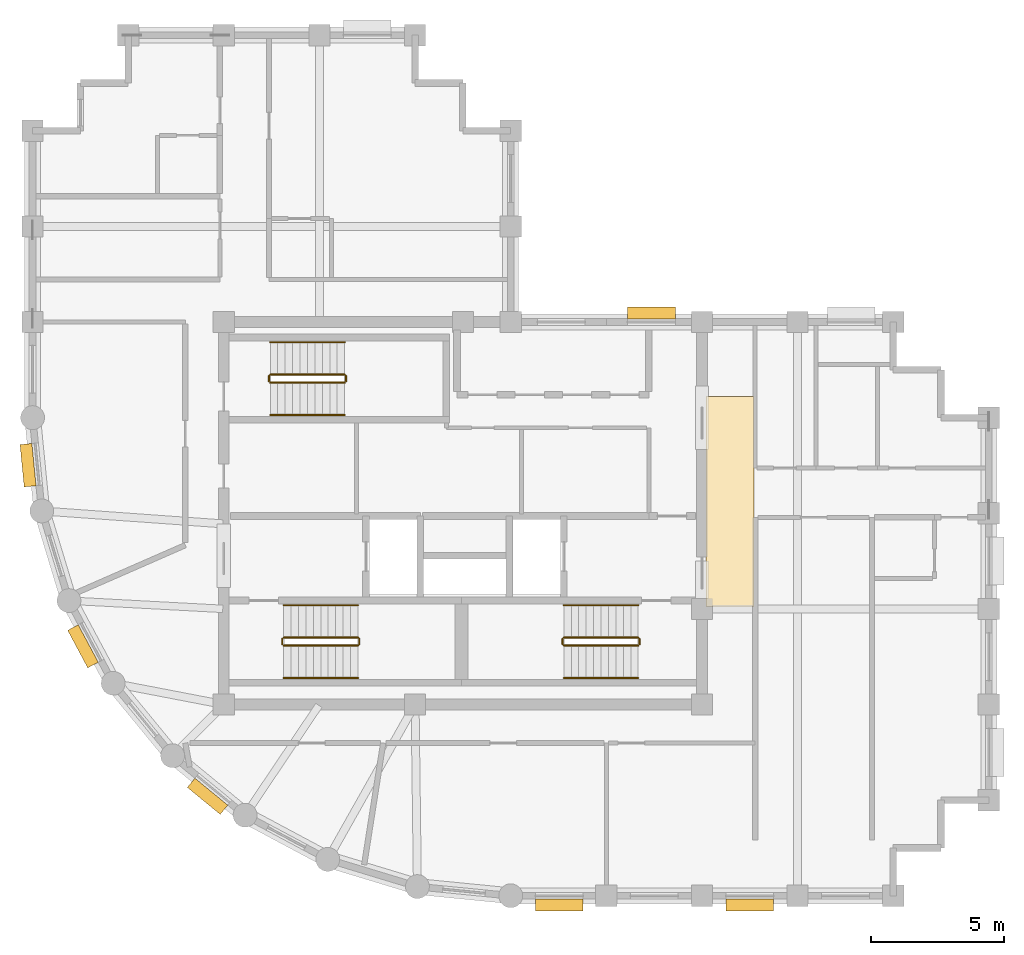
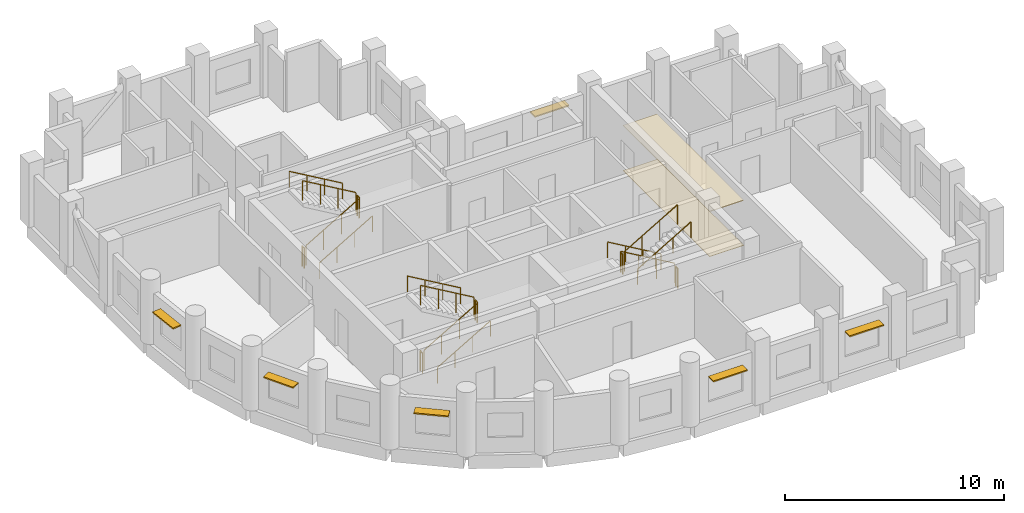
# One storey, part 6 of 7: 18 railings, 6 shading devices, 2 coverings.
"""IFC4 building model written with IfcOpenShell, lengths in metres."""

from ifc_helpers import new_model, si_unit, direction, frame, origin, origin_2d, place, context, subcontext, project, spatial, polyline, rectangle, circle, outline, extrude, material, layer, layer_set, type_object, element, save


model = new_model("IFC4")

# Units and contexts
model_context = context("Model", 3, precision=1e-05, world=origin(), true_north=direction((0.0, 1.0)))
body_context = subcontext(model_context, "Body", "Model", "MODEL_VIEW")
ifc_project = project(units=[si_unit("LENGTHUNIT", "METRE"), si_unit("AREAUNIT", "SQUARE_METRE"), si_unit("VOLUMEUNIT", "CUBIC_METRE"), si_unit("PLANEANGLEUNIT", "RADIAN"), si_unit("MASSUNIT", "GRAM", prefix="KILO")], contexts=[model_context])

# Site, building, storey
site_placement = place(None, origin())
site = spatial("IfcSite", under=ifc_project, at=site_placement, CompositionType="ELEMENT")
building_placement = place(site_placement, origin())
building = spatial("IfcBuilding", under=site, at=building_placement, Name="Solnavia Interchange Tower", CompositionType="ELEMENT")
storey_placement = place(building_placement, frame((0.0, 0.0, 242.60009765625)))
storey = spatial("IfcBuildingStorey", under=building, at=storey_placement, Name="L61", CompositionType="ELEMENT", Elevation=242.60009765625)

# Coverings
ifc_material_1 = material(Name="Perforated Mineral-Fibre & Gypsum Ceiling", Category="gypsum")
ifc_layer_1 = layer(ifc_material_1, 0.0400390625)
ifc_layer_set_1 = layer_set([ifc_layer_1], Name="Perforated Mineral-Fibre & Gypsum Ceiling")
covering_type_1 = type_object("IfcCoveringType", Name="Covering-Ceiling-Acoustic40", PredefinedType="CEILING", material=ifc_layer_set_1)
covering_1_placement = place(storey_placement, frame((0.0, 0.0, 2.5)))
element("IfcCovering", 1, at=covering_1_placement, inside=storey, type_object=covering_type_1, Name="CLG-L61-01 Circulation suspended acoustic ceiling", PredefinedType="CEILING", context=body_context, shape_type="SweptSolid", body=[
    extrude(outline(polyline([(32.550048828125, 14.5), (34.35009765625, 14.5), (34.35009765625, 22.39990234375), (32.550048828125, 22.39990234375), (32.550048828125, 14.5)])), origin(), (0.0, 0.0, 1.0), 0.039794921875),
])
ifc_material_2 = material(Name="Engineered European Oak Flooring", Category="wood")
ifc_layer_2 = layer(ifc_material_2, 0.02001953125)
ifc_layer_set_2 = layer_set([ifc_layer_2], Name="Engineered European Oak Flooring")
covering_type_2 = type_object("IfcCoveringType", Name="Covering-Flooring-Timber20", PredefinedType="FLOORING", material=ifc_layer_set_2)
covering_2_placement = place(storey_placement, origin())
element("IfcCovering", 2, at=covering_2_placement, inside=storey, type_object=covering_type_2, Name="FLR-L61-01 Circulation floor finish", PredefinedType="FLOORING", context=body_context, shape_type="SweptSolid", body=[
    extrude(outline(polyline([(32.550048828125, 14.5), (34.35009765625, 14.5), (34.35009765625, 22.39990234375), (32.550048828125, 22.39990234375), (32.550048828125, 14.5)])), origin(), (0.0, 0.0, 1.0), 0.02001953125),
])

# Railings
ifc_material_3 = material(Name="Painted Steel Balustrade", Category="steel")
railing_type_1 = type_object("IfcRailingType", Name="Railing-StairGuard-1100", PredefinedType="GUARDRAIL", material=ifc_material_3)
railing_1_placement = place(storey_placement, frame((16.64990234375, 13.02001953125, 0.16357421875)))
element("IfcRailing", 3, at=railing_1_placement, inside=storey, type_object=railing_type_1, Name="L61 ST-1 stair guard 1", PredefinedType="GUARDRAIL", context=body_context, shape_type="SweptSolid", body=[
    extrude(circle(Radius=0.02392578125, at=origin_2d()), frame((0.0, 0.0, 1.09619140625), z_axis=(0.863393664356, 0.0, 0.504530851732), x_axis=(0.0, 1.0, 0.0)), (0.0, 0.0, 1.0), 3.2431640625),
    extrude(circle(Radius=0.02099609375, at=origin_2d()), origin(), (0.0, 0.0, 1.0), 1.072021484375),
    extrude(circle(Radius=0.02099609375, at=origin_2d()), frame((0.933349609375, 0.0, 0.54541015625)), (0.0, 0.0, 1.0), 1.072021484375),
    extrude(circle(Radius=0.02099609375, at=origin_2d()), frame((1.86669921875, 0.0, 1.0908203125)), (0.0, 0.0, 1.0), 1.072021484375),
    extrude(circle(Radius=0.02099609375, at=origin_2d()), frame((2.800048828125, 0.0, 1.63623046875)), (0.0, 0.0, 1.0), 1.072021484375),
])
railing_2_placement = place(storey_placement, frame((19.5, 13.070068359375, 1.7998046875)))
element("IfcRailing", 4, at=railing_2_placement, inside=storey, type_object=railing_type_1, Name="L61 ST-1 stair guard 2", PredefinedType="GUARDRAIL", context=body_context, shape_type="SweptSolid", body=[
    extrude(circle(Radius=0.02392578125, at=origin_2d()), frame((0.0, 0.0, 1.09619140625), z_axis=(0.0, 1.0, 0.0), x_axis=(-1.0, 0.0, 0.0)), (0.0, 0.0, 1.0), 0.199951171875),
    extrude(circle(Radius=0.02099609375, at=origin_2d()), origin(), (0.0, 0.0, 1.0), 1.072021484375),
    extrude(circle(Radius=0.02099609375, at=origin_2d()), frame((0.0, 0.199951171875, 0.0)), (0.0, 0.0, 1.0), 1.072021484375),
])
railing_3_placement = place(storey_placement, frame((19.449951171875, 13.320068359375, 1.963623046875)))
element("IfcRailing", 5, at=railing_3_placement, inside=storey, type_object=railing_type_1, Name="L61 ST-1 stair guard 3", PredefinedType="GUARDRAIL", context=body_context, shape_type="SweptSolid", body=[
    extrude(circle(Radius=0.02392578125, at=origin_2d()), frame((0.0, 0.0, 1.09619140625), z_axis=(-0.863393664356, 0.0, 0.504530851732), x_axis=(0.0, -1.0, 0.0)), (0.0, 0.0, 1.0), 3.2431640625),
    extrude(circle(Radius=0.02099609375, at=origin_2d()), origin(), (0.0, 0.0, 1.0), 1.072021484375),
    extrude(circle(Radius=0.02099609375, at=origin_2d()), frame((-0.933349609375, 0.0, 0.54541015625)), (0.0, 0.0, 1.0), 1.072021484375),
    extrude(circle(Radius=0.02099609375, at=origin_2d()), frame((-1.86669921875, 0.0, 1.0908203125)), (0.0, 0.0, 1.0), 1.072021484375),
    extrude(circle(Radius=0.02099609375, at=origin_2d()), frame((-2.800048828125, 0.0, 1.63623046875)), (0.0, 0.0, 1.0), 1.072021484375),
])
railing_4_placement = place(storey_placement, frame((16.60009765625, 13.070068359375, 0.0)))
element("IfcRailing", 6, at=railing_4_placement, inside=storey, type_object=railing_type_1, Name="L61 ST-1 stair guard 4", PredefinedType="GUARDRAIL", context=body_context, shape_type="SweptSolid", body=[
    extrude(circle(Radius=0.02392578125, at=origin_2d()), frame((0.0, 0.0, 1.09619140625), z_axis=(0.0, 1.0, 0.0), x_axis=(-1.0, 0.0, 0.0)), (0.0, 0.0, 1.0), 0.199951171875),
    extrude(circle(Radius=0.02099609375, at=origin_2d()), origin(), (0.0, 0.0, 1.0), 1.072021484375),
    extrude(circle(Radius=0.02099609375, at=origin_2d()), frame((0.0, 0.199951171875, 0.0)), (0.0, 0.0, 1.0), 1.072021484375),
])
railing_5_placement = place(storey_placement, frame((30.0, 13.320068359375, 0.16357421875)))
element("IfcRailing", 7, at=railing_5_placement, inside=storey, type_object=railing_type_1, Name="L61 ST-2 stair guard 1", PredefinedType="GUARDRAIL", context=body_context, shape_type="SweptSolid", body=[
    extrude(circle(Radius=0.02392578125, at=origin_2d()), frame((0.0, 0.0, 1.09619140625), z_axis=(-0.863393664356, 0.0, 0.504530851732), x_axis=(0.0, -1.0, 0.0)), (0.0, 0.0, 1.0), 3.2431640625),
    extrude(circle(Radius=0.02099609375, at=origin_2d()), origin(), (0.0, 0.0, 1.0), 1.072021484375),
    extrude(circle(Radius=0.02099609375, at=origin_2d()), frame((-0.933349609375, 0.0, 0.54541015625)), (0.0, 0.0, 1.0), 1.072021484375),
    extrude(circle(Radius=0.02099609375, at=origin_2d()), frame((-1.86669921875, 0.0, 1.0908203125)), (0.0, 0.0, 1.0), 1.072021484375),
    extrude(circle(Radius=0.02099609375, at=origin_2d()), frame((-2.800048828125, 0.0, 1.63623046875)), (0.0, 0.0, 1.0), 1.072021484375),
])
railing_6_placement = place(storey_placement, frame((27.14990234375, 13.27001953125, 1.7998046875)))
element("IfcRailing", 8, at=railing_6_placement, inside=storey, type_object=railing_type_1, Name="L61 ST-2 stair guard 2", PredefinedType="GUARDRAIL", context=body_context, shape_type="SweptSolid", body=[
    extrude(circle(Radius=0.02392578125, at=origin_2d()), frame((0.0, 0.0, 1.09619140625), z_axis=(0.0, -1.0, 0.0), x_axis=(1.0, 0.0, 0.0)), (0.0, 0.0, 1.0), 0.199951171875),
    extrude(circle(Radius=0.02099609375, at=origin_2d()), origin(), (0.0, 0.0, 1.0), 1.072021484375),
    extrude(circle(Radius=0.02099609375, at=origin_2d()), frame((0.0, -0.199951171875, 0.0)), (0.0, 0.0, 1.0), 1.072021484375),
])
railing_7_placement = place(storey_placement, frame((27.199951171875, 13.02001953125, 1.963623046875)))
element("IfcRailing", 9, at=railing_7_placement, inside=storey, type_object=railing_type_1, Name="L61 ST-2 stair guard 3", PredefinedType="GUARDRAIL", context=body_context, shape_type="SweptSolid", body=[
    extrude(circle(Radius=0.02392578125, at=origin_2d()), frame((0.0, 0.0, 1.09619140625), z_axis=(0.863393664356, 0.0, 0.504530851732), x_axis=(0.0, 1.0, 0.0)), (0.0, 0.0, 1.0), 3.2431640625),
    extrude(circle(Radius=0.02099609375, at=origin_2d()), origin(), (0.0, 0.0, 1.0), 1.072021484375),
    extrude(circle(Radius=0.02099609375, at=origin_2d()), frame((0.933349609375, 0.0, 0.54541015625)), (0.0, 0.0, 1.0), 1.072021484375),
    extrude(circle(Radius=0.02099609375, at=origin_2d()), frame((1.86669921875, 0.0, 1.0908203125)), (0.0, 0.0, 1.0), 1.072021484375),
    extrude(circle(Radius=0.02099609375, at=origin_2d()), frame((2.800048828125, 0.0, 1.63623046875)), (0.0, 0.0, 1.0), 1.072021484375),
])
railing_8_placement = place(storey_placement, frame((30.050048828125, 13.27001953125, 0.0)))
element("IfcRailing", 10, at=railing_8_placement, inside=storey, type_object=railing_type_1, Name="L61 ST-2 stair guard 4", PredefinedType="GUARDRAIL", context=body_context, shape_type="SweptSolid", body=[
    extrude(circle(Radius=0.02392578125, at=origin_2d()), frame((0.0, 0.0, 1.09619140625), z_axis=(0.0, -1.0, 0.0), x_axis=(1.0, 0.0, 0.0)), (0.0, 0.0, 1.0), 0.199951171875),
    extrude(circle(Radius=0.02099609375, at=origin_2d()), origin(), (0.0, 0.0, 1.0), 1.072021484375),
    extrude(circle(Radius=0.02099609375, at=origin_2d()), frame((0.0, -0.199951171875, 0.0)), (0.0, 0.0, 1.0), 1.072021484375),
])
railing_9_placement = place(storey_placement, frame((16.14990234375, 22.919921875, 0.16357421875)))
element("IfcRailing", 11, at=railing_9_placement, inside=storey, type_object=railing_type_1, Name="L61 ST-3 stair guard 1", PredefinedType="GUARDRAIL", context=body_context, shape_type="SweptSolid", body=[
    extrude(circle(Radius=0.02392578125, at=origin_2d()), frame((0.0, 0.0, 1.09619140625), z_axis=(0.863393664356, 0.0, 0.504530851732), x_axis=(0.0, 1.0, 0.0)), (0.0, 0.0, 1.0), 3.2431640625),
    extrude(circle(Radius=0.02099609375, at=origin_2d()), origin(), (0.0, 0.0, 1.0), 1.072021484375),
    extrude(circle(Radius=0.02099609375, at=origin_2d()), frame((0.933349609375, 0.0, 0.54541015625)), (0.0, 0.0, 1.0), 1.072021484375),
    extrude(circle(Radius=0.02099609375, at=origin_2d()), frame((1.86669921875, 0.0, 1.0908203125)), (0.0, 0.0, 1.0), 1.072021484375),
    extrude(circle(Radius=0.02099609375, at=origin_2d()), frame((2.800048828125, 0.0, 1.63623046875)), (0.0, 0.0, 1.0), 1.072021484375),
])
railing_10_placement = place(storey_placement, frame((19.0, 22.969970703125, 1.7998046875)))
element("IfcRailing", 12, at=railing_10_placement, inside=storey, type_object=railing_type_1, Name="L61 ST-3 stair guard 2", PredefinedType="GUARDRAIL", context=body_context, shape_type="SweptSolid", body=[
    extrude(circle(Radius=0.02392578125, at=origin_2d()), frame((0.0, 0.0, 1.09619140625), z_axis=(0.0, 1.0, 0.0), x_axis=(-1.0, 0.0, 0.0)), (0.0, 0.0, 1.0), 0.199951171875),
    extrude(circle(Radius=0.02099609375, at=origin_2d()), origin(), (0.0, 0.0, 1.0), 1.072021484375),
    extrude(circle(Radius=0.02099609375, at=origin_2d()), frame((0.0, 0.199951171875, 0.0)), (0.0, 0.0, 1.0), 1.072021484375),
])
railing_11_placement = place(storey_placement, frame((18.949951171875, 23.219970703125, 1.963623046875)))
element("IfcRailing", 13, at=railing_11_placement, inside=storey, type_object=railing_type_1, Name="L61 ST-3 stair guard 3", PredefinedType="GUARDRAIL", context=body_context, shape_type="SweptSolid", body=[
    extrude(circle(Radius=0.02392578125, at=origin_2d()), frame((0.0, 0.0, 1.09619140625), z_axis=(-0.863393664356, 0.0, 0.504530851732), x_axis=(0.0, -1.0, 0.0)), (0.0, 0.0, 1.0), 3.2431640625),
    extrude(circle(Radius=0.02099609375, at=origin_2d()), origin(), (0.0, 0.0, 1.0), 1.072021484375),
    extrude(circle(Radius=0.02099609375, at=origin_2d()), frame((-0.933349609375, 0.0, 0.54541015625)), (0.0, 0.0, 1.0), 1.072021484375),
    extrude(circle(Radius=0.02099609375, at=origin_2d()), frame((-1.86669921875, 0.0, 1.0908203125)), (0.0, 0.0, 1.0), 1.072021484375),
    extrude(circle(Radius=0.02099609375, at=origin_2d()), frame((-2.800048828125, 0.0, 1.63623046875)), (0.0, 0.0, 1.0), 1.072021484375),
])
railing_12_placement = place(storey_placement, frame((16.10009765625, 22.969970703125, 0.0)))
element("IfcRailing", 14, at=railing_12_placement, inside=storey, type_object=railing_type_1, Name="L61 ST-3 stair guard 4", PredefinedType="GUARDRAIL", context=body_context, shape_type="SweptSolid", body=[
    extrude(circle(Radius=0.02392578125, at=origin_2d()), frame((0.0, 0.0, 1.09619140625), z_axis=(0.0, 1.0, 0.0), x_axis=(-1.0, 0.0, 0.0)), (0.0, 0.0, 1.0), 0.199951171875),
    extrude(circle(Radius=0.02099609375, at=origin_2d()), origin(), (0.0, 0.0, 1.0), 1.072021484375),
    extrude(circle(Radius=0.02099609375, at=origin_2d()), frame((0.0, 0.199951171875, 0.0)), (0.0, 0.0, 1.0), 1.072021484375),
])
ifc_material_4 = material(Name="Brushed Stainless Steel", Category="steel")
railing_type_2 = type_object("IfcRailingType", Name="Railing-StairHandrail-900", PredefinedType="HANDRAIL", material=ifc_material_4)
railing_13_placement = place(storey_placement, frame((16.64990234375, 11.800048828125, 0.16357421875)))
element("IfcRailing", 15, at=railing_13_placement, inside=storey, type_object=railing_type_2, Name="L61 ST-1 stair handrail 1", PredefinedType="HANDRAIL", context=body_context, shape_type="SweptSolid", body=[
    extrude(circle(Radius=0.02392578125, at=origin_2d()), frame((0.0, 0.0, 0.8759765625), z_axis=(0.863393664356, 0.0, 0.504530851732), x_axis=(0.0, 1.0, 0.0)), (0.0, 0.0, 1.0), 3.2431640625),
    extrude(circle(Radius=0.02099609375, at=origin_2d()), origin(), (0.0, 0.0, 1.0), 0.851806640625),
    extrude(circle(Radius=0.02099609375, at=origin_2d()), frame((0.933349609375, 0.0, 0.54541015625)), (0.0, 0.0, 1.0), 0.851806640625),
    extrude(circle(Radius=0.02099609375, at=origin_2d()), frame((1.86669921875, 0.0, 1.0908203125)), (0.0, 0.0, 1.0), 0.851806640625),
    extrude(circle(Radius=0.02099609375, at=origin_2d()), frame((2.800048828125, 0.0, 1.63623046875)), (0.0, 0.0, 1.0), 0.851806640625),
])
for number, where, name in (
    (16, (19.449951171875, 14.5400390625, 1.963623046875), "L61 ST-1 stair handrail 2"),
    (17, (30.0, 14.5400390625, 0.16357421875), "L61 ST-2 stair handrail 1"),
):
    element("IfcRailing", number, at=place(storey_placement, frame(where)), inside=storey, type_object=railing_type_2, Name=name, PredefinedType="HANDRAIL", context=body_context, shape_type="SweptSolid", body=[
        extrude(circle(Radius=0.02392578125, at=origin_2d()), frame((0.0, 0.0, 0.8759765625), z_axis=(-0.863393664356, 0.0, 0.504530851732), x_axis=(0.0, -1.0, 0.0)), (0.0, 0.0, 1.0), 3.2431640625),
        extrude(circle(Radius=0.02099609375, at=origin_2d()), origin(), (0.0, 0.0, 1.0), 0.851806640625),
        extrude(circle(Radius=0.02099609375, at=origin_2d()), frame((-0.933349609375, 0.0, 0.54541015625)), (0.0, 0.0, 1.0), 0.851806640625),
        extrude(circle(Radius=0.02099609375, at=origin_2d()), frame((-1.86669921875, 0.0, 1.0908203125)), (0.0, 0.0, 1.0), 0.851806640625),
        extrude(circle(Radius=0.02099609375, at=origin_2d()), frame((-2.800048828125, 0.0, 1.63623046875)), (0.0, 0.0, 1.0), 0.851806640625),
    ])
for number, where, name in (
    (18, (27.199951171875, 11.800048828125, 1.963623046875), "L61 ST-2 stair handrail 2"),
    (19, (16.14990234375, 21.699951171875, 0.16357421875), "L61 ST-3 stair handrail 1"),
):
    element("IfcRailing", number, at=place(storey_placement, frame(where)), inside=storey, type_object=railing_type_2, Name=name, PredefinedType="HANDRAIL", context=body_context, shape_type="SweptSolid", body=[
        extrude(circle(Radius=0.02392578125, at=origin_2d()), frame((0.0, 0.0, 0.8759765625), z_axis=(0.863393664356, 0.0, 0.504530851732), x_axis=(0.0, 1.0, 0.0)), (0.0, 0.0, 1.0), 3.2431640625),
        extrude(circle(Radius=0.02099609375, at=origin_2d()), origin(), (0.0, 0.0, 1.0), 0.851806640625),
        extrude(circle(Radius=0.02099609375, at=origin_2d()), frame((0.933349609375, 0.0, 0.54541015625)), (0.0, 0.0, 1.0), 0.851806640625),
        extrude(circle(Radius=0.02099609375, at=origin_2d()), frame((1.86669921875, 0.0, 1.0908203125)), (0.0, 0.0, 1.0), 0.851806640625),
        extrude(circle(Radius=0.02099609375, at=origin_2d()), frame((2.800048828125, 0.0, 1.63623046875)), (0.0, 0.0, 1.0), 0.851806640625),
    ])
railing_14_placement = place(storey_placement, frame((18.949951171875, 24.43994140625, 1.963623046875)))
element("IfcRailing", 20, at=railing_14_placement, inside=storey, type_object=railing_type_2, Name="L61 ST-3 stair handrail 2", PredefinedType="HANDRAIL", context=body_context, shape_type="SweptSolid", body=[
    extrude(circle(Radius=0.02392578125, at=origin_2d()), frame((0.0, 0.0, 0.8759765625), z_axis=(-0.863393664356, 0.0, 0.504530851732), x_axis=(0.0, -1.0, 0.0)), (0.0, 0.0, 1.0), 3.2431640625),
    extrude(circle(Radius=0.02099609375, at=origin_2d()), origin(), (0.0, 0.0, 1.0), 0.851806640625),
    extrude(circle(Radius=0.02099609375, at=origin_2d()), frame((-0.933349609375, 0.0, 0.54541015625)), (0.0, 0.0, 1.0), 0.851806640625),
    extrude(circle(Radius=0.02099609375, at=origin_2d()), frame((-1.86669921875, 0.0, 1.0908203125)), (0.0, 0.0, 1.0), 0.851806640625),
    extrude(circle(Radius=0.02099609375, at=origin_2d()), frame((-2.800048828125, 0.0, 1.63623046875)), (0.0, 0.0, 1.0), 0.851806640625),
])

# Shading devices
ifc_material_5 = material(Name="Anodised Aluminium Sunshade", Category="aluminium")
ifc_layer_3 = layer(ifc_material_5, 0.070068359375)
ifc_layer_set_3 = layer_set([ifc_layer_3], Name="Anodised Aluminium Sunshade")
shading_device_type = type_object("IfcShadingDeviceType", Name="Sunshade-Band-450", PredefinedType="JALOUSIE", material=ifc_layer_set_3)
for number, where, z_axis, x_axis, name in (
    (21, (27.02490234375, 3.2548828125, 2.22509765625), (0.0, 0.0, 1.0), (-1.0, 0.0, 0.0), "SHD-L61-01 Horizontal sunshade band"),
    (22, (34.199951171875, 3.2548828125, 2.22509765625), (0.0, 0.0, 1.0), (-1.0, 0.0, 0.0), "SHD-L61-03 Horizontal sunshade band"),
    (23, (30.4951171875, 25.544921875, 2.22509765625), (0.0, 0.0, 1.0), (1.0, 0.0, 0.0), "SHD-L61-19 Horizontal sunshade band"),
):
    element("IfcShadingDevice", number, at=place(storey_placement, frame(where, z_axis=z_axis, x_axis=x_axis)), inside=storey, type_object=shading_device_type, Name=name, PredefinedType="JALOUSIE", context=body_context, shape_type="SweptSolid", body=[
        extrude(rectangle(XDim=1.800048828125, YDim=0.449951171875, at=origin_2d()), origin(), (0.0, 0.0, 1.0), 0.070068359375),
    ])
for number, where, z_axis, x_axis, name in (
    (24, (7.029541015625, 19.810791015625, 2.22509765625), (0.0, 0.0, 1.0), (-0.098103986207, 0.995176169274, 0.0), "SHD-L61-37 Horizontal sunshade band"),
    (25, (9.097900390625, 12.992919921875, 2.22509765625), (0.0, 0.0, 1.0), (-0.47147369718, 0.881880123865, 0.0), "SHD-L61-39 Horizontal sunshade band"),
    (26, (13.78759765625, 7.3466796875, 2.22509765625), (0.0, 0.0, 1.0), (-0.773176510644, 0.634190888762, 0.0), "SHD-L61-41 Horizontal sunshade band"),
):
    element("IfcShadingDevice", number, at=place(storey_placement, frame(where, z_axis=z_axis, x_axis=x_axis)), inside=storey, type_object=shading_device_type, Name=name, PredefinedType="JALOUSIE", context=body_context, shape_type="SweptSolid", body=[
        extrude(rectangle(XDim=1.60009765625, YDim=0.449951171875, at=origin_2d()), origin(), (0.0, 0.0, 1.0), 0.070068359375),
    ])

save(model, "model.ifc")
